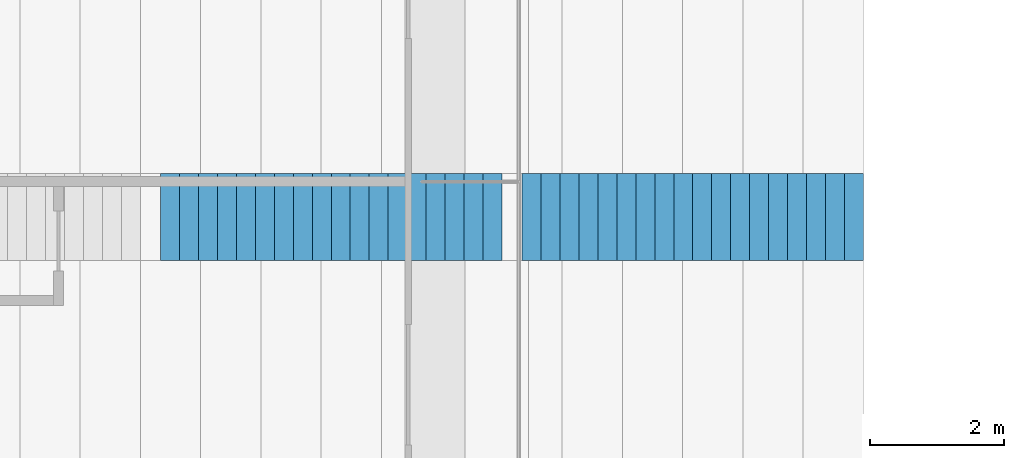
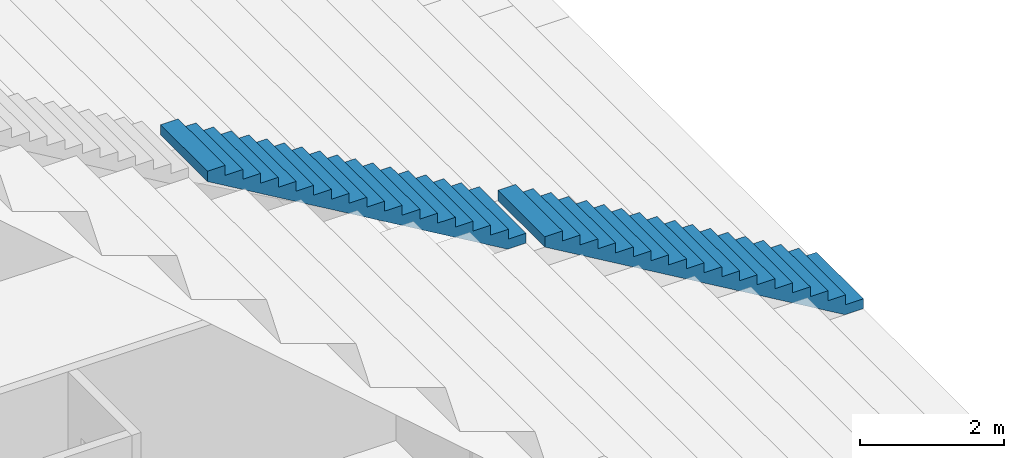
# One storey, part 143 of 249: 2 stair flights, 1 element without a shape of its own.
"""IFC4 building model written with IfcOpenShell, lengths in metres."""

import ifcopenshell
import ifcopenshell.guid

model = None  # the IFC model being written
_history = None  # IfcOwnerHistory: only IFC2X3 demands one
_inside = {}  # id of a spatial element -> (the spatial element, [elements in it])
_under = {}  # id of a project, library or spatial element -> (it, [spatial elements below it])
_declared = {}  # id of a project -> (the project, [libraries it declares])
_typed = {}  # id of a type object -> (the type object, [elements of that type])
_made_of = {}  # id of a material, layer set ... -> (it, [elements and type objects made of it])


def new_model(schema):
    """Start an empty IFC model of exactly this schema.

    Asked for "IFC4X3", IfcOpenShell would pick the latest addendum, in which some entities
    have other attributes; the version numbers below select the first issue.
    IFC2X3 requires an IfcOwnerHistory on every rooted entity: one is made here for all.
    """
    global model, _history
    if schema == "IFC4X3":
        model = ifcopenshell.file(schema_version=(4, 3, 0, 0))
    else:
        model = ifcopenshell.file(schema=schema)
    _inside.clear()
    _under.clear()
    _declared.clear()
    _typed.clear()
    _made_of.clear()
    _history = None
    if model.schema == "IFC2X3":
        org = make("IfcOrganization", Name="unknown")
        user = make(
            "IfcPersonAndOrganization",
            ThePerson=make("IfcPerson", FamilyName="unknown"),
            TheOrganization=org,
        )
        app = make(
            "IfcApplication",
            ApplicationDeveloper=org,
            Version="unknown",
            ApplicationFullName="unknown",
            ApplicationIdentifier="unknown",
        )
        _history = make(
            "IfcOwnerHistory",
            OwningUser=user,
            OwningApplication=app,
            ChangeAction="ADDED",
            CreationDate=0,
        )
    return model


def make(cls, **values):
    """One entity of the class cls with the attributes given. An attribute that is None is left unset."""
    return model.create_entity(
        cls, **{name: value for name, value in values.items() if value is not None}
    )


def rooted(cls, **values):
    """An entity with a GlobalId (a new one), such as an element, a storey or a relation."""
    return make(cls, GlobalId=ifcopenshell.guid.new(), OwnerHistory=_history, **values)


def si_unit(unit_type, name, prefix=None):
    """IfcSIUnit, for example si_unit("LENGTHUNIT", "METRE", prefix="MILLI")."""
    return make("IfcSIUnit", UnitType=unit_type, Prefix=prefix, Name=name)


def assignment(units):
    """IfcUnitAssignment: the units of a project."""
    return None if units is None else make("IfcUnitAssignment", Units=units)


def point(xyz):
    """IfcCartesianPoint."""
    return None if xyz is None else make("IfcCartesianPoint", Coordinates=xyz)


def direction(xyz):
    """IfcDirection."""
    return None if xyz is None else make("IfcDirection", DirectionRatios=xyz)


def frame(location, z_axis=None, x_axis=None):
    """IfcAxis2Placement3D, a coordinate frame: its origin and axes. An axis left out is left unset."""
    return make(
        "IfcAxis2Placement3D",
        Location=point(location),
        Axis=direction(z_axis),
        RefDirection=direction(x_axis),
    )


def origin():
    """The frame at (0, 0, 0) with its axes left unset."""
    return frame((0.0, 0.0, 0.0))


def place(relative_to, where):
    """IfcLocalPlacement: puts the frame where relative to a parent placement (None: the world)."""
    return make(
        "IfcLocalPlacement", PlacementRelTo=relative_to, RelativePlacement=where
    )


def context(
    kind, dimensions, precision=None, world=None, true_north=None, identifier=None
):
    """IfcGeometricRepresentationContext, for example the 3D "Model" context."""
    return make(
        "IfcGeometricRepresentationContext",
        ContextIdentifier=identifier,
        ContextType=kind,
        CoordinateSpaceDimension=dimensions,
        Precision=precision,
        WorldCoordinateSystem=world,
        TrueNorth=true_north,
    )


def subcontext(parent, identifier, kind, view, scale=None):
    """IfcGeometricRepresentationSubContext, for example "Body" below "Model"."""
    return make(
        "IfcGeometricRepresentationSubContext",
        ContextIdentifier=identifier,
        ContextType=kind,
        ParentContext=parent,
        TargetScale=scale,
        TargetView=view,
    )


def project(units=None, contexts=None):
    """IfcProject with its units and contexts."""
    return rooted(
        "IfcProject",
        Name="project",
        RepresentationContexts=contexts,
        UnitsInContext=assignment(units),
    )


def spatial(cls, under=None, at=None, **own):
    """A site, building, storey or space (cls), placed at a placement, below another one or the project."""
    s = rooted(cls, ObjectPlacement=at, **own)
    if under is not None:
        _under.setdefault(under.id(), (under, []))[1].append(s)
    return s


def faces_of(points, faces, orient=None, outer=None):
    """IfcFace entities. A face is a list of loops; a loop is a list of indices into points, from 0.

    orient and outer hold one flag for each loop. By default every Orientation is true, the
    first loop of a face is its IfcFaceOuterBound and the others are IfcFaceBound.
    """
    made = []
    for i, loops in enumerate(faces):
        bounds = []
        for j, loop in enumerate(loops):
            is_outer = j == 0 if outer is None else outer[i][j]
            bounds.append(
                make(
                    "IfcFaceOuterBound" if is_outer else "IfcFaceBound",
                    Bound=make("IfcPolyLoop", Polygon=[points[k] for k in loop]),
                    Orientation=True if orient is None else orient[i][j],
                )
            )
        made.append(make("IfcFace", Bounds=bounds))
    return made


def faceted_brep(points, faces, orient=None, outer=None, voids=None):
    """IfcFacetedBrep: a solid bounded by flat faces; with voids (closed shells), ...WithVoids."""
    shared = [point(p) for p in points]
    hull = make("IfcClosedShell", CfsFaces=faces_of(shared, faces, orient, outer))
    if voids is None:
        return make("IfcFacetedBrep", Outer=hull)
    return make(
        "IfcFacetedBrepWithVoids",
        Outer=hull,
        Voids=[
            make(cls, CfsFaces=faces_of(shared, fs, o, b)) for cls, fs, o, b in voids
        ],
    )


def shape(context_of_items, identifier, shape_type, items):
    """IfcShapeRepresentation: the items that make up one representation, for example the "Body"."""
    return make(
        "IfcShapeRepresentation",
        ContextOfItems=context_of_items,
        RepresentationIdentifier=identifier,
        RepresentationType=shape_type,
        Items=items,
    )


def material(Name=None, Category=None):
    """IfcMaterial."""
    return make("IfcMaterial", Name=Name, Category=Category)


def made_of(thing, what):
    """Note that an element or type object is made of a material, layer set ...; save() writes the relation."""
    if what is not None:
        _made_of.setdefault(what.id(), (what, []))[1].append(thing)
    return thing


def type_object(cls, material=None, **own):
    """A type object (cls), such as IfcWallType, which elements share."""
    return made_of(rooted(cls, **own), material)


def element(
    cls,
    number,
    at=None,
    inside=None,
    cuts=None,
    type_object=None,
    material=None,
    context=None,
    identifier="Body",
    shape_type=None,
    held_by="IfcProductDefinitionShape",
    body=None,
    shapes=None,
    **own,
):
    """One element of the class cls, such as IfcWall. Its Tag is "e" and its number.

    at: its placement. inside: the storey or other place that contains it. cuts: it is an
    opening in that element (IfcRelVoidsElement). A single representation is given by context,
    identifier, shape_type and body (its items); several are given by shapes. held_by: the class
    of the entity that holds the representations. save() writes the other relations.
    """
    e = rooted(cls, Tag="e%d" % number, ObjectPlacement=at, **own)
    if body is not None:
        shapes = [shape(context, identifier, shape_type, body)]
    if shapes is not None:
        e.Representation = make(held_by, Representations=shapes)
    if inside is not None:
        _inside.setdefault(inside.id(), (inside, []))[1].append(e)
    if cuts is not None:
        rooted(
            "IfcRelVoidsElement", RelatingBuildingElement=cuts, RelatedOpeningElement=e
        )
    if type_object is not None:
        _typed.setdefault(type_object.id(), (type_object, []))[1].append(e)
    return made_of(e, material)


def aggregate(whole, parts):
    """IfcRelAggregates: a whole, such as a stair, and the parts it consists of."""
    return rooted("IfcRelAggregates", RelatingObject=whole, RelatedObjects=parts)


def save(model, path):
    """Write the relations noted so far, then the file.

    IfcRelAggregates (storeys below a building ...), IfcRelContainedInSpatialStructure (elements
    in a storey), IfcRelDefinesByType, IfcRelAssociatesMaterial and IfcRelDeclares: one each for
    every whole, place, type object, material and project.
    """
    for whole, parts in _under.values():
        aggregate(whole, parts)
    for where, things in _inside.values():
        rooted(
            "IfcRelContainedInSpatialStructure",
            RelatedElements=things,
            RelatingStructure=where,
        )
    for kind, things in _typed.values():
        rooted("IfcRelDefinesByType", RelatedObjects=things, RelatingType=kind)
    for what, things in _made_of.values():
        rooted("IfcRelAssociatesMaterial", RelatedObjects=things, RelatingMaterial=what)
    for by, libraries in _declared.values():
        rooted("IfcRelDeclares", RelatingContext=by, RelatedDefinitions=libraries)
    model.write(path)


model = new_model("IFC4")

# Units and contexts
model_context = context("Model", 3, precision=1e-05, world=origin(), true_north=direction((0.0, 1.0)))
body_context = subcontext(model_context, "Body", "Model", "MODEL_VIEW")
ifc_project = project(units=[si_unit("LENGTHUNIT", "METRE"), si_unit("AREAUNIT", "SQUARE_METRE"), si_unit("VOLUMEUNIT", "CUBIC_METRE"), si_unit("PLANEANGLEUNIT", "RADIAN"), si_unit("MASSUNIT", "GRAM", prefix="KILO")], contexts=[model_context])

# Site, building, storey
site_placement = place(None, origin())
site = spatial("IfcSite", under=ifc_project, at=site_placement, CompositionType="ELEMENT")
building_placement = place(site_placement, origin())
building = spatial("IfcBuilding", under=site, at=building_placement, Name="Ogive Plaza Stadium", CompositionType="ELEMENT")
storey_placement = place(building_placement, frame((0.0, 0.0, 13.5)))
storey = spatial("IfcBuildingStorey", under=building, at=storey_placement, Name="L03", CompositionType="ELEMENT", Elevation=13.5)

# Stair, stair flights
ifc_material_1 = material(Name="Concrete C40/50", Category="concrete")
stair_type = type_object("IfcStairType", Name="Aisle stair", PredefinedType="STRAIGHT_RUN_STAIR", material=ifc_material_1)
stair_placement = place(storey_placement, origin())
stair = element("IfcStair", 1, at=stair_placement, inside=storey, type_object=stair_type, Name="Aisle stair SA21U", PredefinedType="STRAIGHT_RUN_STAIR")
ifc_material_2 = material(Name="Concrete C40/50", Category="concrete")
stair_flight_type = type_object("IfcStairFlightType", Name="Aisle stair flight", PredefinedType="STRAIGHT", material=ifc_material_2)
stair_flight_1_placement = place(storey_placement, frame((-55.5, -45.0, 0.5), z_axis=(0.0, 0.0, 1.0), x_axis=(-1.0, 0.0, 0.0)))
stair_flight_1 = element("IfcStairFlight", 2, at=stair_flight_1_placement, type_object=stair_flight_type, Name="SA21U flight 1", NumberOfRisers=18, NumberOfTreads=17, PredefinedType="STRAIGHT", RiserHeight=0.166666667, TreadLength=0.283333333, context=body_context, shape_type="Brep", body=[
    faceted_brep([(0.295654296875, -0.64990234375, 0.0), (5.10009765625, -0.64990234375, 2.826171875), (5.10009765625, -0.64990234375, 3.0), (4.816650390625, -0.64990234375, 3.0), (4.816650390625, -0.64990234375, 2.833251953125), (4.533447265625, -0.64990234375, 2.833251953125), (4.533447265625, -0.64990234375, 2.666748046875), (4.25, -0.64990234375, 2.666748046875), (4.25, -0.64990234375, 2.5), (3.966552734375, -0.64990234375, 2.5), (3.966552734375, -0.64990234375, 2.333251953125), (3.683349609375, -0.64990234375, 2.333251953125), (3.683349609375, -0.64990234375, 2.166748046875), (3.39990234375, -0.64990234375, 2.166748046875), (3.39990234375, -0.64990234375, 2.0), (3.11669921875, -0.64990234375, 2.0), (3.11669921875, -0.64990234375, 1.833251953125), (2.833251953125, -0.64990234375, 1.833251953125), (2.833251953125, -0.64990234375, 1.666748046875), (2.550048828125, -0.64990234375, 1.666748046875), (2.550048828125, -0.64990234375, 1.5), (2.2666015625, -0.64990234375, 1.5), (2.2666015625, -0.64990234375, 1.333251953125), (1.9833984375, -0.64990234375, 1.333251953125), (1.9833984375, -0.64990234375, 1.166748046875), (1.699951171875, -0.64990234375, 1.166748046875), (1.699951171875, -0.64990234375, 1.0), (1.416748046875, -0.64990234375, 1.0), (1.416748046875, -0.64990234375, 0.833251953125), (1.13330078125, -0.64990234375, 0.833251953125), (1.13330078125, -0.64990234375, 0.666748046875), (0.85009765625, -0.64990234375, 0.666748046875), (0.85009765625, -0.64990234375, 0.5), (0.566650390625, -0.64990234375, 0.5), (0.566650390625, -0.64990234375, 0.333251953125), (0.283447265625, -0.64990234375, 0.333251953125), (0.283447265625, -0.64990234375, 0.166748046875), (0.0, -0.64990234375, 0.166748046875), (0.0, -0.64990234375, 0.0), (0.0, 0.64990234375, 0.0), (0.0, 0.64990234375, 0.166748046875), (0.283447265625, 0.64990234375, 0.166748046875), (0.283447265625, 0.64990234375, 0.333251953125), (0.566650390625, 0.64990234375, 0.333251953125), (0.566650390625, 0.64990234375, 0.5), (0.85009765625, 0.64990234375, 0.5), (0.85009765625, 0.64990234375, 0.666748046875), (1.13330078125, 0.64990234375, 0.666748046875), (1.13330078125, 0.64990234375, 0.833251953125), (1.416748046875, 0.64990234375, 0.833251953125), (1.416748046875, 0.64990234375, 1.0), (1.699951171875, 0.64990234375, 1.0), (1.699951171875, 0.64990234375, 1.166748046875), (1.9833984375, 0.64990234375, 1.166748046875), (1.9833984375, 0.64990234375, 1.333251953125), (2.2666015625, 0.64990234375, 1.333251953125), (2.2666015625, 0.64990234375, 1.5), (2.550048828125, 0.64990234375, 1.5), (2.550048828125, 0.64990234375, 1.666748046875), (2.833251953125, 0.64990234375, 1.666748046875), (2.833251953125, 0.64990234375, 1.833251953125), (3.11669921875, 0.64990234375, 1.833251953125), (3.11669921875, 0.64990234375, 2.0), (3.39990234375, 0.64990234375, 2.0), (3.39990234375, 0.64990234375, 2.166748046875), (3.683349609375, 0.64990234375, 2.166748046875), (3.683349609375, 0.64990234375, 2.333251953125), (3.966552734375, 0.64990234375, 2.333251953125), (3.966552734375, 0.64990234375, 2.5), (4.25, 0.64990234375, 2.5), (4.25, 0.64990234375, 2.666748046875), (4.533447265625, 0.64990234375, 2.666748046875), (4.533447265625, 0.64990234375, 2.833251953125), (4.816650390625, 0.64990234375, 2.833251953125), (4.816650390625, 0.64990234375, 3.0), (5.10009765625, 0.64990234375, 3.0), (5.10009765625, 0.64990234375, 2.826171875), (0.295654296875, 0.64990234375, 0.0), (0.295654296875, -0.324951171875, 0.0), (5.10009765625, -0.324951171875, 2.826171875), (0.295654296875, 0.0, 0.0), (5.10009765625, 0.0, 2.826171875), (0.295654296875, 0.324951171875, 0.0), (5.10009765625, 0.324951171875, 2.826171875), (5.10009765625, -0.324951171875, 3.0), (5.10009765625, 0.0, 3.0), (5.10009765625, 0.324951171875, 3.0), (4.816650390625, -0.324951171875, 3.0), (4.816650390625, 0.0, 3.0), (4.816650390625, 0.324951171875, 3.0), (4.816650390625, -0.324951171875, 2.833251953125), (4.816650390625, 0.0, 2.833251953125), (4.816650390625, 0.324951171875, 2.833251953125), (4.533447265625, -0.324951171875, 2.833251953125), (4.533447265625, 0.0, 2.833251953125), (4.533447265625, 0.324951171875, 2.833251953125), (4.533447265625, -0.324951171875, 2.666748046875), (4.533447265625, 0.0, 2.666748046875), (4.533447265625, 0.324951171875, 2.666748046875), (4.25, -0.324951171875, 2.666748046875), (4.25, 0.0, 2.666748046875), (4.25, 0.324951171875, 2.666748046875), (4.25, -0.324951171875, 2.5), (4.25, 0.0, 2.5), (4.25, 0.324951171875, 2.5), (3.966552734375, -0.324951171875, 2.5), (3.966552734375, 0.0, 2.5), (3.966552734375, 0.324951171875, 2.5), (3.966552734375, -0.324951171875, 2.333251953125), (3.966552734375, 0.0, 2.333251953125), (3.966552734375, 0.324951171875, 2.333251953125), (3.683349609375, -0.324951171875, 2.333251953125), (3.683349609375, 0.0, 2.333251953125), (3.683349609375, 0.324951171875, 2.333251953125), (3.683349609375, -0.324951171875, 2.166748046875), (3.683349609375, 0.0, 2.166748046875), (3.683349609375, 0.324951171875, 2.166748046875), (3.39990234375, -0.324951171875, 2.166748046875), (3.39990234375, 0.0, 2.166748046875), (3.39990234375, 0.324951171875, 2.166748046875), (3.39990234375, -0.324951171875, 2.0), (3.39990234375, 0.0, 2.0), (3.39990234375, 0.324951171875, 2.0), (3.11669921875, -0.324951171875, 2.0), (3.11669921875, 0.0, 2.0), (3.11669921875, 0.324951171875, 2.0), (3.11669921875, -0.324951171875, 1.833251953125), (3.11669921875, 0.0, 1.833251953125), (3.11669921875, 0.324951171875, 1.833251953125), (2.833251953125, -0.324951171875, 1.833251953125), (2.833251953125, 0.0, 1.833251953125), (2.833251953125, 0.324951171875, 1.833251953125), (2.833251953125, -0.324951171875, 1.666748046875), (2.833251953125, 0.0, 1.666748046875), (2.833251953125, 0.324951171875, 1.666748046875), (2.550048828125, -0.324951171875, 1.666748046875), (2.550048828125, 0.0, 1.666748046875), (2.550048828125, 0.324951171875, 1.666748046875), (2.550048828125, -0.324951171875, 1.5), (2.550048828125, 0.0, 1.5), (2.550048828125, 0.324951171875, 1.5), (2.2666015625, -0.324951171875, 1.5), (2.2666015625, 0.0, 1.5), (2.2666015625, 0.324951171875, 1.5), (2.2666015625, -0.324951171875, 1.333251953125), (2.2666015625, 0.0, 1.333251953125), (2.2666015625, 0.324951171875, 1.333251953125), (1.9833984375, -0.324951171875, 1.333251953125), (1.9833984375, 0.0, 1.333251953125), (1.9833984375, 0.324951171875, 1.333251953125), (1.9833984375, -0.324951171875, 1.166748046875), (1.9833984375, 0.0, 1.166748046875), (1.9833984375, 0.324951171875, 1.166748046875), (1.699951171875, -0.324951171875, 1.166748046875), (1.699951171875, 0.0, 1.166748046875), (1.699951171875, 0.324951171875, 1.166748046875), (1.699951171875, -0.324951171875, 1.0), (1.699951171875, 0.0, 1.0), (1.699951171875, 0.324951171875, 1.0), (1.416748046875, -0.324951171875, 1.0), (1.416748046875, 0.0, 1.0), (1.416748046875, 0.324951171875, 1.0), (1.416748046875, -0.324951171875, 0.833251953125), (1.416748046875, 0.0, 0.833251953125), (1.416748046875, 0.324951171875, 0.833251953125), (1.13330078125, -0.324951171875, 0.833251953125), (1.13330078125, 0.0, 0.833251953125), (1.13330078125, 0.324951171875, 0.833251953125), (1.13330078125, -0.324951171875, 0.666748046875), (1.13330078125, 0.0, 0.666748046875), (1.13330078125, 0.324951171875, 0.666748046875), (0.85009765625, -0.324951171875, 0.666748046875), (0.85009765625, 0.0, 0.666748046875), (0.85009765625, 0.324951171875, 0.666748046875), (0.85009765625, -0.324951171875, 0.5), (0.85009765625, 0.0, 0.5), (0.85009765625, 0.324951171875, 0.5), (0.566650390625, -0.324951171875, 0.5), (0.566650390625, 0.0, 0.5), (0.566650390625, 0.324951171875, 0.5), (0.566650390625, -0.324951171875, 0.333251953125), (0.566650390625, 0.0, 0.333251953125), (0.566650390625, 0.324951171875, 0.333251953125), (0.283447265625, -0.324951171875, 0.333251953125), (0.283447265625, 0.0, 0.333251953125), (0.283447265625, 0.324951171875, 0.333251953125), (0.283447265625, -0.324951171875, 0.166748046875), (0.283447265625, 0.0, 0.166748046875), (0.283447265625, 0.324951171875, 0.166748046875), (0.0, -0.324951171875, 0.166748046875), (0.0, 0.0, 0.166748046875), (0.0, 0.324951171875, 0.166748046875), (0.0, -0.324951171875, 0.0), (0.0, 0.0, 0.0), (0.0, 0.324951171875, 0.0)], [[[0, 1, 2, 3, 4, 5, 6, 7, 8, 9, 10, 11, 12, 13, 14, 15, 16, 17, 18, 19, 20, 21, 22, 23, 24, 25, 26, 27, 28, 29, 30, 31, 32, 33, 34, 35, 36, 37, 38]], [[39, 40, 41, 42, 43, 44, 45, 46, 47, 48, 49, 50, 51, 52, 53, 54, 55, 56, 57, 58, 59, 60, 61, 62, 63, 64, 65, 66, 67, 68, 69, 70, 71, 72, 73, 74, 75, 76, 77]], [[0, 78, 79, 1]], [[78, 80, 81, 79]], [[80, 82, 83, 81]], [[82, 77, 76, 83]], [[1, 79, 84, 2]], [[79, 81, 85, 84]], [[81, 83, 86, 85]], [[83, 76, 75, 86]], [[2, 84, 87, 3]], [[84, 85, 88, 87]], [[85, 86, 89, 88]], [[86, 75, 74, 89]], [[3, 87, 90, 4]], [[87, 88, 91, 90]], [[88, 89, 92, 91]], [[89, 74, 73, 92]], [[4, 90, 93, 5]], [[90, 91, 94, 93]], [[91, 92, 95, 94]], [[92, 73, 72, 95]], [[5, 93, 96, 6]], [[93, 94, 97, 96]], [[94, 95, 98, 97]], [[95, 72, 71, 98]], [[6, 96, 99, 7]], [[96, 97, 100, 99]], [[97, 98, 101, 100]], [[98, 71, 70, 101]], [[7, 99, 102, 8]], [[99, 100, 103, 102]], [[100, 101, 104, 103]], [[101, 70, 69, 104]], [[8, 102, 105, 9]], [[102, 103, 106, 105]], [[103, 104, 107, 106]], [[104, 69, 68, 107]], [[9, 105, 108, 10]], [[105, 106, 109, 108]], [[106, 107, 110, 109]], [[107, 68, 67, 110]], [[10, 108, 111, 11]], [[108, 109, 112, 111]], [[109, 110, 113, 112]], [[110, 67, 66, 113]], [[11, 111, 114, 12]], [[111, 112, 115, 114]], [[112, 113, 116, 115]], [[113, 66, 65, 116]], [[12, 114, 117, 13]], [[114, 115, 118, 117]], [[115, 116, 119, 118]], [[116, 65, 64, 119]], [[13, 117, 120, 14]], [[117, 118, 121, 120]], [[118, 119, 122, 121]], [[119, 64, 63, 122]], [[14, 120, 123, 15]], [[120, 121, 124, 123]], [[121, 122, 125, 124]], [[122, 63, 62, 125]], [[15, 123, 126, 16]], [[123, 124, 127, 126]], [[124, 125, 128, 127]], [[125, 62, 61, 128]], [[16, 126, 129, 17]], [[126, 127, 130, 129]], [[127, 128, 131, 130]], [[128, 61, 60, 131]], [[17, 129, 132, 18]], [[129, 130, 133, 132]], [[130, 131, 134, 133]], [[131, 60, 59, 134]], [[18, 132, 135, 19]], [[132, 133, 136, 135]], [[133, 134, 137, 136]], [[134, 59, 58, 137]], [[19, 135, 138, 20]], [[135, 136, 139, 138]], [[136, 137, 140, 139]], [[137, 58, 57, 140]], [[20, 138, 141, 21]], [[138, 139, 142, 141]], [[139, 140, 143, 142]], [[140, 57, 56, 143]], [[21, 141, 144, 22]], [[141, 142, 145, 144]], [[142, 143, 146, 145]], [[143, 56, 55, 146]], [[22, 144, 147, 23]], [[144, 145, 148, 147]], [[145, 146, 149, 148]], [[146, 55, 54, 149]], [[23, 147, 150, 24]], [[147, 148, 151, 150]], [[148, 149, 152, 151]], [[149, 54, 53, 152]], [[24, 150, 153, 25]], [[150, 151, 154, 153]], [[151, 152, 155, 154]], [[152, 53, 52, 155]], [[25, 153, 156, 26]], [[153, 154, 157, 156]], [[154, 155, 158, 157]], [[155, 52, 51, 158]], [[26, 156, 159, 27]], [[156, 157, 160, 159]], [[157, 158, 161, 160]], [[158, 51, 50, 161]], [[27, 159, 162, 28]], [[159, 160, 163, 162]], [[160, 161, 164, 163]], [[161, 50, 49, 164]], [[28, 162, 165, 29]], [[162, 163, 166, 165]], [[163, 164, 167, 166]], [[164, 49, 48, 167]], [[29, 165, 168, 30]], [[165, 166, 169, 168]], [[166, 167, 170, 169]], [[167, 48, 47, 170]], [[30, 168, 171, 31]], [[168, 169, 172, 171]], [[169, 170, 173, 172]], [[170, 47, 46, 173]], [[31, 171, 174, 32]], [[171, 172, 175, 174]], [[172, 173, 176, 175]], [[173, 46, 45, 176]], [[32, 174, 177, 33]], [[174, 175, 178, 177]], [[175, 176, 179, 178]], [[176, 45, 44, 179]], [[33, 177, 180, 34]], [[177, 178, 181, 180]], [[178, 179, 182, 181]], [[179, 44, 43, 182]], [[34, 180, 183, 35]], [[180, 181, 184, 183]], [[181, 182, 185, 184]], [[182, 43, 42, 185]], [[35, 183, 186, 36]], [[183, 184, 187, 186]], [[184, 185, 188, 187]], [[185, 42, 41, 188]], [[36, 186, 189, 37]], [[186, 187, 190, 189]], [[187, 188, 191, 190]], [[188, 41, 40, 191]], [[37, 189, 192, 38]], [[189, 190, 193, 192]], [[190, 191, 194, 193]], [[191, 40, 39, 194]], [[38, 192, 78, 0]], [[192, 193, 80, 78]], [[193, 194, 82, 80]], [[194, 39, 77, 82]]]),
])
stair_flight_2_placement = place(storey_placement, frame((-60.89990234375, -45.0, 3.5), z_axis=(0.0, 0.0, 1.0), x_axis=(-1.0, 0.0, 0.0)))
stair_flight_2 = element("IfcStairFlight", 3, at=stair_flight_2_placement, type_object=stair_flight_type, Name="SA21U flight 2", NumberOfRisers=18, NumberOfTreads=17, PredefinedType="STRAIGHT", RiserHeight=0.166666667, TreadLength=0.283333333, context=body_context, shape_type="Brep", body=[
    faceted_brep([(0.295654296875, -0.64990234375, 0.0), (5.10009765625, -0.64990234375, 2.826171875), (5.10009765625, -0.64990234375, 3.0), (4.816650390625, -0.64990234375, 3.0), (4.816650390625, -0.64990234375, 2.833251953125), (4.533447265625, -0.64990234375, 2.833251953125), (4.533447265625, -0.64990234375, 2.666748046875), (4.25, -0.64990234375, 2.666748046875), (4.25, -0.64990234375, 2.5), (3.966552734375, -0.64990234375, 2.5), (3.966552734375, -0.64990234375, 2.333251953125), (3.683349609375, -0.64990234375, 2.333251953125), (3.683349609375, -0.64990234375, 2.166748046875), (3.39990234375, -0.64990234375, 2.166748046875), (3.39990234375, -0.64990234375, 2.0), (3.11669921875, -0.64990234375, 2.0), (3.11669921875, -0.64990234375, 1.833251953125), (2.833251953125, -0.64990234375, 1.833251953125), (2.833251953125, -0.64990234375, 1.666748046875), (2.550048828125, -0.64990234375, 1.666748046875), (2.550048828125, -0.64990234375, 1.5), (2.2666015625, -0.64990234375, 1.5), (2.2666015625, -0.64990234375, 1.333251953125), (1.9833984375, -0.64990234375, 1.333251953125), (1.9833984375, -0.64990234375, 1.166748046875), (1.699951171875, -0.64990234375, 1.166748046875), (1.699951171875, -0.64990234375, 1.0), (1.416748046875, -0.64990234375, 1.0), (1.416748046875, -0.64990234375, 0.833251953125), (1.13330078125, -0.64990234375, 0.833251953125), (1.13330078125, -0.64990234375, 0.666748046875), (0.85009765625, -0.64990234375, 0.666748046875), (0.85009765625, -0.64990234375, 0.5), (0.566650390625, -0.64990234375, 0.5), (0.566650390625, -0.64990234375, 0.333251953125), (0.283447265625, -0.64990234375, 0.333251953125), (0.283447265625, -0.64990234375, 0.166748046875), (0.0, -0.64990234375, 0.166748046875), (0.0, -0.64990234375, 0.0), (0.0, 0.64990234375, 0.0), (0.0, 0.64990234375, 0.166748046875), (0.283447265625, 0.64990234375, 0.166748046875), (0.283447265625, 0.64990234375, 0.333251953125), (0.566650390625, 0.64990234375, 0.333251953125), (0.566650390625, 0.64990234375, 0.5), (0.85009765625, 0.64990234375, 0.5), (0.85009765625, 0.64990234375, 0.666748046875), (1.13330078125, 0.64990234375, 0.666748046875), (1.13330078125, 0.64990234375, 0.833251953125), (1.416748046875, 0.64990234375, 0.833251953125), (1.416748046875, 0.64990234375, 1.0), (1.699951171875, 0.64990234375, 1.0), (1.699951171875, 0.64990234375, 1.166748046875), (1.9833984375, 0.64990234375, 1.166748046875), (1.9833984375, 0.64990234375, 1.333251953125), (2.2666015625, 0.64990234375, 1.333251953125), (2.2666015625, 0.64990234375, 1.5), (2.550048828125, 0.64990234375, 1.5), (2.550048828125, 0.64990234375, 1.666748046875), (2.833251953125, 0.64990234375, 1.666748046875), (2.833251953125, 0.64990234375, 1.833251953125), (3.11669921875, 0.64990234375, 1.833251953125), (3.11669921875, 0.64990234375, 2.0), (3.39990234375, 0.64990234375, 2.0), (3.39990234375, 0.64990234375, 2.166748046875), (3.683349609375, 0.64990234375, 2.166748046875), (3.683349609375, 0.64990234375, 2.333251953125), (3.966552734375, 0.64990234375, 2.333251953125), (3.966552734375, 0.64990234375, 2.5), (4.25, 0.64990234375, 2.5), (4.25, 0.64990234375, 2.666748046875), (4.533447265625, 0.64990234375, 2.666748046875), (4.533447265625, 0.64990234375, 2.833251953125), (4.816650390625, 0.64990234375, 2.833251953125), (4.816650390625, 0.64990234375, 3.0), (5.10009765625, 0.64990234375, 3.0), (5.10009765625, 0.64990234375, 2.826171875), (0.295654296875, 0.64990234375, 0.0), (0.295654296875, -0.324951171875, 0.0), (5.10009765625, -0.324951171875, 2.826171875), (0.295654296875, 0.0, 0.0), (5.10009765625, 0.0, 2.826171875), (0.295654296875, 0.324951171875, 0.0), (5.10009765625, 0.324951171875, 2.826171875), (5.10009765625, -0.324951171875, 3.0), (5.10009765625, 0.0, 3.0), (5.10009765625, 0.324951171875, 3.0), (4.816650390625, -0.324951171875, 3.0), (4.816650390625, 0.0, 3.0), (4.816650390625, 0.324951171875, 3.0), (4.816650390625, -0.324951171875, 2.833251953125), (4.816650390625, 0.0, 2.833251953125), (4.816650390625, 0.324951171875, 2.833251953125), (4.533447265625, -0.324951171875, 2.833251953125), (4.533447265625, 0.0, 2.833251953125), (4.533447265625, 0.324951171875, 2.833251953125), (4.533447265625, -0.324951171875, 2.666748046875), (4.533447265625, 0.0, 2.666748046875), (4.533447265625, 0.324951171875, 2.666748046875), (4.25, -0.324951171875, 2.666748046875), (4.25, 0.0, 2.666748046875), (4.25, 0.324951171875, 2.666748046875), (4.25, -0.324951171875, 2.5), (4.25, 0.0, 2.5), (4.25, 0.324951171875, 2.5), (3.966552734375, -0.324951171875, 2.5), (3.966552734375, 0.0, 2.5), (3.966552734375, 0.324951171875, 2.5), (3.966552734375, -0.324951171875, 2.333251953125), (3.966552734375, 0.0, 2.333251953125), (3.966552734375, 0.324951171875, 2.333251953125), (3.683349609375, -0.324951171875, 2.333251953125), (3.683349609375, 0.0, 2.333251953125), (3.683349609375, 0.324951171875, 2.333251953125), (3.683349609375, -0.324951171875, 2.166748046875), (3.683349609375, 0.0, 2.166748046875), (3.683349609375, 0.324951171875, 2.166748046875), (3.39990234375, -0.324951171875, 2.166748046875), (3.39990234375, 0.0, 2.166748046875), (3.39990234375, 0.324951171875, 2.166748046875), (3.39990234375, -0.324951171875, 2.0), (3.39990234375, 0.0, 2.0), (3.39990234375, 0.324951171875, 2.0), (3.11669921875, -0.324951171875, 2.0), (3.11669921875, 0.0, 2.0), (3.11669921875, 0.324951171875, 2.0), (3.11669921875, -0.324951171875, 1.833251953125), (3.11669921875, 0.0, 1.833251953125), (3.11669921875, 0.324951171875, 1.833251953125), (2.833251953125, -0.324951171875, 1.833251953125), (2.833251953125, 0.0, 1.833251953125), (2.833251953125, 0.324951171875, 1.833251953125), (2.833251953125, -0.324951171875, 1.666748046875), (2.833251953125, 0.0, 1.666748046875), (2.833251953125, 0.324951171875, 1.666748046875), (2.550048828125, -0.324951171875, 1.666748046875), (2.550048828125, 0.0, 1.666748046875), (2.550048828125, 0.324951171875, 1.666748046875), (2.550048828125, -0.324951171875, 1.5), (2.550048828125, 0.0, 1.5), (2.550048828125, 0.324951171875, 1.5), (2.2666015625, -0.324951171875, 1.5), (2.2666015625, 0.0, 1.5), (2.2666015625, 0.324951171875, 1.5), (2.2666015625, -0.324951171875, 1.333251953125), (2.2666015625, 0.0, 1.333251953125), (2.2666015625, 0.324951171875, 1.333251953125), (1.9833984375, -0.324951171875, 1.333251953125), (1.9833984375, 0.0, 1.333251953125), (1.9833984375, 0.324951171875, 1.333251953125), (1.9833984375, -0.324951171875, 1.166748046875), (1.9833984375, 0.0, 1.166748046875), (1.9833984375, 0.324951171875, 1.166748046875), (1.699951171875, -0.324951171875, 1.166748046875), (1.699951171875, 0.0, 1.166748046875), (1.699951171875, 0.324951171875, 1.166748046875), (1.699951171875, -0.324951171875, 1.0), (1.699951171875, 0.0, 1.0), (1.699951171875, 0.324951171875, 1.0), (1.416748046875, -0.324951171875, 1.0), (1.416748046875, 0.0, 1.0), (1.416748046875, 0.324951171875, 1.0), (1.416748046875, -0.324951171875, 0.833251953125), (1.416748046875, 0.0, 0.833251953125), (1.416748046875, 0.324951171875, 0.833251953125), (1.13330078125, -0.324951171875, 0.833251953125), (1.13330078125, 0.0, 0.833251953125), (1.13330078125, 0.324951171875, 0.833251953125), (1.13330078125, -0.324951171875, 0.666748046875), (1.13330078125, 0.0, 0.666748046875), (1.13330078125, 0.324951171875, 0.666748046875), (0.85009765625, -0.324951171875, 0.666748046875), (0.85009765625, 0.0, 0.666748046875), (0.85009765625, 0.324951171875, 0.666748046875), (0.85009765625, -0.324951171875, 0.5), (0.85009765625, 0.0, 0.5), (0.85009765625, 0.324951171875, 0.5), (0.566650390625, -0.324951171875, 0.5), (0.566650390625, 0.0, 0.5), (0.566650390625, 0.324951171875, 0.5), (0.566650390625, -0.324951171875, 0.333251953125), (0.566650390625, 0.0, 0.333251953125), (0.566650390625, 0.324951171875, 0.333251953125), (0.283447265625, -0.324951171875, 0.333251953125), (0.283447265625, 0.0, 0.333251953125), (0.283447265625, 0.324951171875, 0.333251953125), (0.283447265625, -0.324951171875, 0.166748046875), (0.283447265625, 0.0, 0.166748046875), (0.283447265625, 0.324951171875, 0.166748046875), (0.0, -0.324951171875, 0.166748046875), (0.0, 0.0, 0.166748046875), (0.0, 0.324951171875, 0.166748046875), (0.0, -0.324951171875, 0.0), (0.0, 0.0, 0.0), (0.0, 0.324951171875, 0.0)], [[[0, 1, 2, 3, 4, 5, 6, 7, 8, 9, 10, 11, 12, 13, 14, 15, 16, 17, 18, 19, 20, 21, 22, 23, 24, 25, 26, 27, 28, 29, 30, 31, 32, 33, 34, 35, 36, 37, 38]], [[39, 40, 41, 42, 43, 44, 45, 46, 47, 48, 49, 50, 51, 52, 53, 54, 55, 56, 57, 58, 59, 60, 61, 62, 63, 64, 65, 66, 67, 68, 69, 70, 71, 72, 73, 74, 75, 76, 77]], [[0, 78, 79, 1]], [[78, 80, 81, 79]], [[80, 82, 83, 81]], [[82, 77, 76, 83]], [[1, 79, 84, 2]], [[79, 81, 85, 84]], [[81, 83, 86, 85]], [[83, 76, 75, 86]], [[2, 84, 87, 3]], [[84, 85, 88, 87]], [[85, 86, 89, 88]], [[86, 75, 74, 89]], [[3, 87, 90, 4]], [[87, 88, 91, 90]], [[88, 89, 92, 91]], [[89, 74, 73, 92]], [[4, 90, 93, 5]], [[90, 91, 94, 93]], [[91, 92, 95, 94]], [[92, 73, 72, 95]], [[5, 93, 96, 6]], [[93, 94, 97, 96]], [[94, 95, 98, 97]], [[95, 72, 71, 98]], [[6, 96, 99, 7]], [[96, 97, 100, 99]], [[97, 98, 101, 100]], [[98, 71, 70, 101]], [[7, 99, 102, 8]], [[99, 100, 103, 102]], [[100, 101, 104, 103]], [[101, 70, 69, 104]], [[8, 102, 105, 9]], [[102, 103, 106, 105]], [[103, 104, 107, 106]], [[104, 69, 68, 107]], [[9, 105, 108, 10]], [[105, 106, 109, 108]], [[106, 107, 110, 109]], [[107, 68, 67, 110]], [[10, 108, 111, 11]], [[108, 109, 112, 111]], [[109, 110, 113, 112]], [[110, 67, 66, 113]], [[11, 111, 114, 12]], [[111, 112, 115, 114]], [[112, 113, 116, 115]], [[113, 66, 65, 116]], [[12, 114, 117, 13]], [[114, 115, 118, 117]], [[115, 116, 119, 118]], [[116, 65, 64, 119]], [[13, 117, 120, 14]], [[117, 118, 121, 120]], [[118, 119, 122, 121]], [[119, 64, 63, 122]], [[14, 120, 123, 15]], [[120, 121, 124, 123]], [[121, 122, 125, 124]], [[122, 63, 62, 125]], [[15, 123, 126, 16]], [[123, 124, 127, 126]], [[124, 125, 128, 127]], [[125, 62, 61, 128]], [[16, 126, 129, 17]], [[126, 127, 130, 129]], [[127, 128, 131, 130]], [[128, 61, 60, 131]], [[17, 129, 132, 18]], [[129, 130, 133, 132]], [[130, 131, 134, 133]], [[131, 60, 59, 134]], [[18, 132, 135, 19]], [[132, 133, 136, 135]], [[133, 134, 137, 136]], [[134, 59, 58, 137]], [[19, 135, 138, 20]], [[135, 136, 139, 138]], [[136, 137, 140, 139]], [[137, 58, 57, 140]], [[20, 138, 141, 21]], [[138, 139, 142, 141]], [[139, 140, 143, 142]], [[140, 57, 56, 143]], [[21, 141, 144, 22]], [[141, 142, 145, 144]], [[142, 143, 146, 145]], [[143, 56, 55, 146]], [[22, 144, 147, 23]], [[144, 145, 148, 147]], [[145, 146, 149, 148]], [[146, 55, 54, 149]], [[23, 147, 150, 24]], [[147, 148, 151, 150]], [[148, 149, 152, 151]], [[149, 54, 53, 152]], [[24, 150, 153, 25]], [[150, 151, 154, 153]], [[151, 152, 155, 154]], [[152, 53, 52, 155]], [[25, 153, 156, 26]], [[153, 154, 157, 156]], [[154, 155, 158, 157]], [[155, 52, 51, 158]], [[26, 156, 159, 27]], [[156, 157, 160, 159]], [[157, 158, 161, 160]], [[158, 51, 50, 161]], [[27, 159, 162, 28]], [[159, 160, 163, 162]], [[160, 161, 164, 163]], [[161, 50, 49, 164]], [[28, 162, 165, 29]], [[162, 163, 166, 165]], [[163, 164, 167, 166]], [[164, 49, 48, 167]], [[29, 165, 168, 30]], [[165, 166, 169, 168]], [[166, 167, 170, 169]], [[167, 48, 47, 170]], [[30, 168, 171, 31]], [[168, 169, 172, 171]], [[169, 170, 173, 172]], [[170, 47, 46, 173]], [[31, 171, 174, 32]], [[171, 172, 175, 174]], [[172, 173, 176, 175]], [[173, 46, 45, 176]], [[32, 174, 177, 33]], [[174, 175, 178, 177]], [[175, 176, 179, 178]], [[176, 45, 44, 179]], [[33, 177, 180, 34]], [[177, 178, 181, 180]], [[178, 179, 182, 181]], [[179, 44, 43, 182]], [[34, 180, 183, 35]], [[180, 181, 184, 183]], [[181, 182, 185, 184]], [[182, 43, 42, 185]], [[35, 183, 186, 36]], [[183, 184, 187, 186]], [[184, 185, 188, 187]], [[185, 42, 41, 188]], [[36, 186, 189, 37]], [[186, 187, 190, 189]], [[187, 188, 191, 190]], [[188, 41, 40, 191]], [[37, 189, 192, 38]], [[189, 190, 193, 192]], [[190, 191, 194, 193]], [[191, 40, 39, 194]], [[38, 192, 78, 0]], [[192, 193, 80, 78]], [[193, 194, 82, 80]], [[194, 39, 77, 82]]]),
])
aggregate(stair, [stair_flight_1, stair_flight_2])

save(model, "model.ifc")
